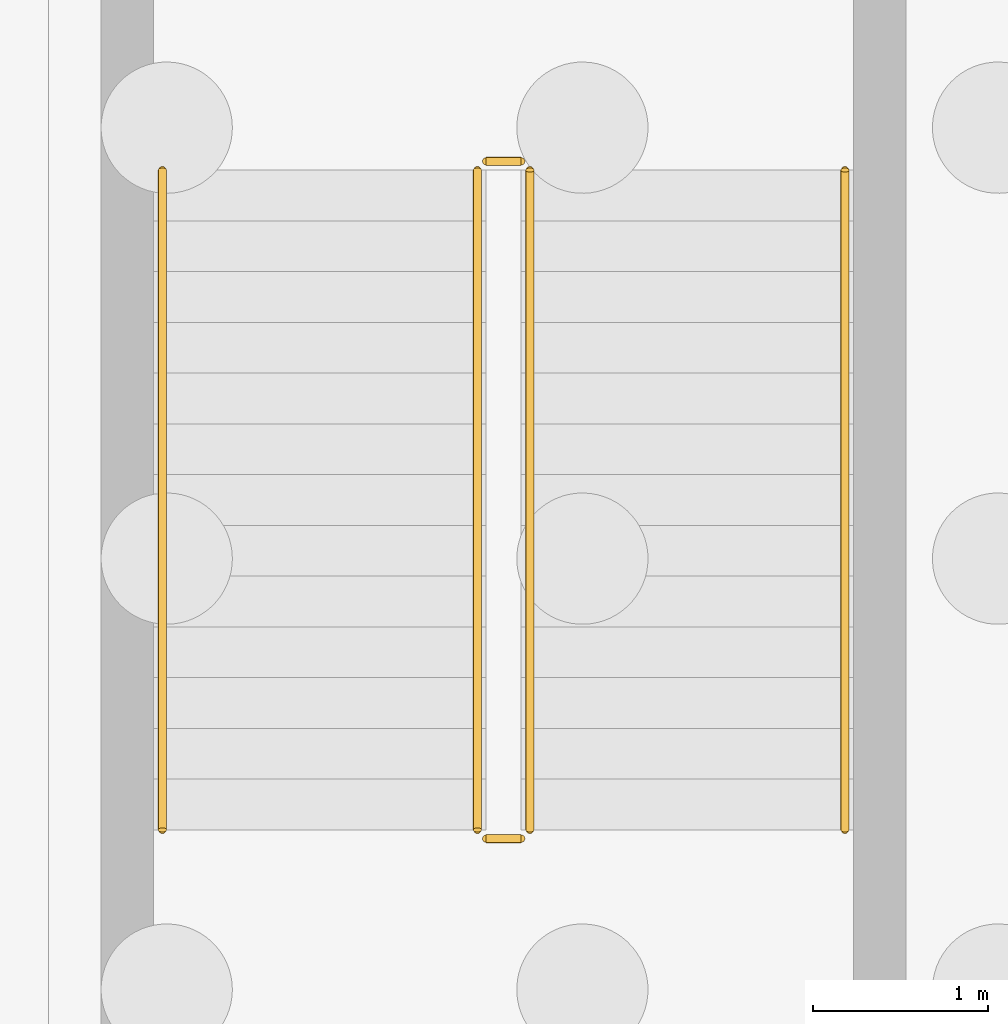
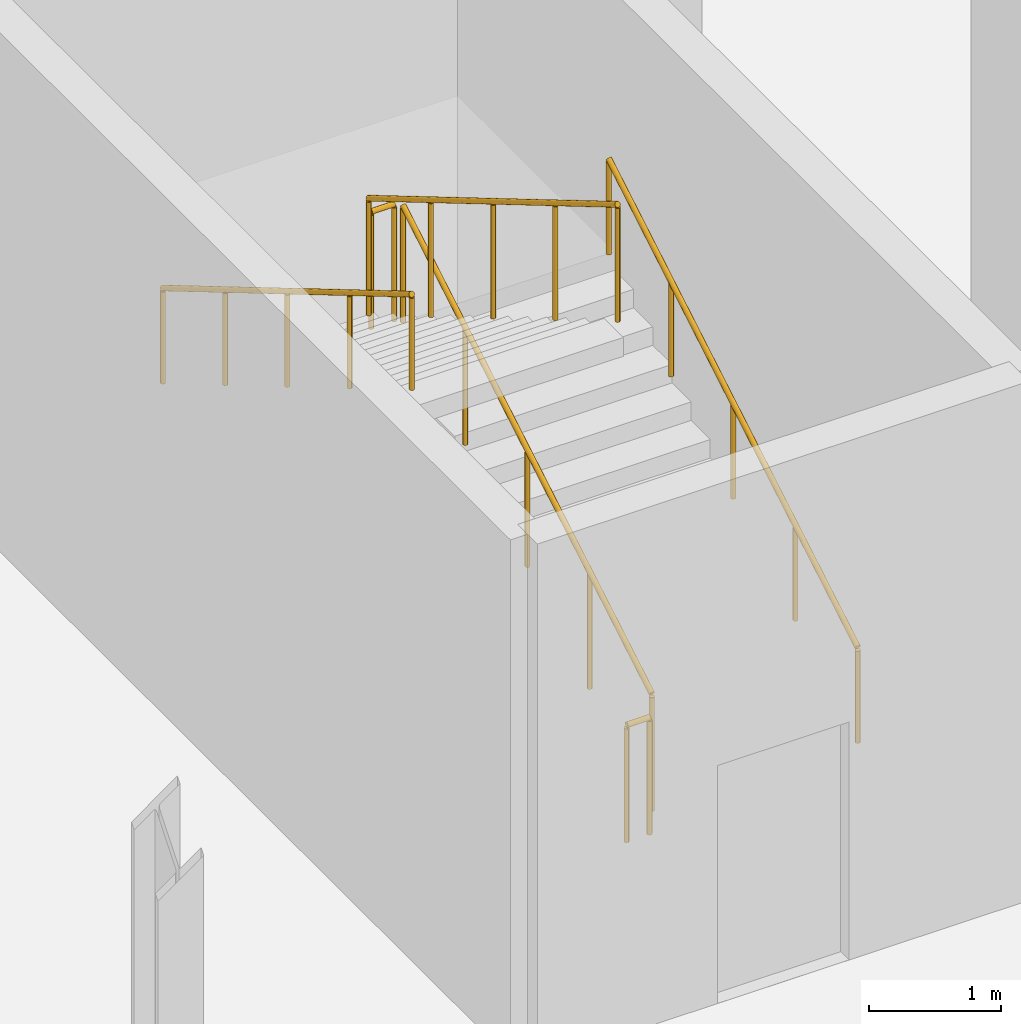
# One storey, part 35 of 37: 6 railings.
"""IFC4 building model written with IfcOpenShell, lengths in metres."""

from ifc_helpers import new_model, si_unit, direction, frame, origin, origin_2d, place, context, subcontext, project, spatial, circle, extrude, material, type_object, element, save


model = new_model("IFC4")

# Units and contexts
model_context = context("Model", 3, precision=1e-05, world=origin(), true_north=direction((0.0, 1.0)))
body_context = subcontext(model_context, "Body", "Model", "MODEL_VIEW")
ifc_project = project(units=[si_unit("LENGTHUNIT", "METRE"), si_unit("AREAUNIT", "SQUARE_METRE"), si_unit("VOLUMEUNIT", "CUBIC_METRE"), si_unit("PLANEANGLEUNIT", "RADIAN"), si_unit("MASSUNIT", "GRAM", prefix="KILO"), si_unit("THERMODYNAMICTEMPERATUREUNIT", "KELVIN"), si_unit("POWERUNIT", "WATT")], contexts=[model_context])

# Site, building, storey
site_placement = place(None, origin())
site = spatial("IfcSite", under=ifc_project, at=site_placement, CompositionType="ELEMENT")
building_placement = place(site_placement, origin())
building = spatial("IfcBuilding", under=site, at=building_placement, Name="Zelmaris Science Centre", CompositionType="ELEMENT")
storey_placement = place(building_placement, frame((0.0, 0.0, -4.800048828125)))
storey = spatial("IfcBuildingStorey", under=building, at=storey_placement, Name="B1", CompositionType="ELEMENT", Elevation=-4.800048828125)

# Railings
ifc_material = material(Name="Architectural bronze alloy C28000")
railing_type_1 = type_object("IfcRailingType", Name="Balustrade GD-01 H1120", PredefinedType="BALUSTRADE", material=ifc_material)
railing_1_placement = place(storey_placement, frame((122.64990234375, 18.449951171875, 0.17138671875)))
element("IfcRailing", 1, at=railing_1_placement, inside=storey, type_object=railing_type_1, Name="B1 ST-4 stair guard 1", PredefinedType="BALUSTRADE", context=body_context, shape_type="SweptSolid", body=[
    extrude(circle(Radius=0.02392578125, at=origin_2d()), frame((0.0, 0.0, 1.076171875), z_axis=(0.0, 0.860824410104, 0.508902087802), x_axis=(-1.0, 0.0, 0.0)), (0.0, 0.0, 1.0), 4.379638671875),
    extrude(circle(Radius=0.02099609375, at=origin_2d()), origin(), (0.0, 0.0, 1.0), 1.052001953125),
    extrude(circle(Radius=0.02099609375, at=origin_2d()), frame((0.0, 0.9423828125, 0.55712890625)), (0.0, 0.0, 1.0), 1.052001953125),
    extrude(circle(Radius=0.02099609375, at=origin_2d()), frame((0.0, 1.885009765625, 1.1142578125)), (0.0, 0.0, 1.0), 1.052001953125),
    extrude(circle(Radius=0.02099609375, at=origin_2d()), frame((0.0, 2.82763671875, 1.671630859375)), (0.0, 0.0, 1.0), 1.052001953125),
    extrude(circle(Radius=0.02099609375, at=origin_2d()), frame((0.0, 3.77001953125, 2.228759765625)), (0.0, 0.0, 1.0), 1.052001953125),
])
railing_2_placement = place(storey_placement, frame((122.60009765625, 22.27001953125, 2.400146484375)))
element("IfcRailing", 2, at=railing_2_placement, inside=storey, type_object=railing_type_1, Name="B1 ST-4 stair guard 2", PredefinedType="BALUSTRADE", context=body_context, shape_type="SweptSolid", body=[
    extrude(circle(Radius=0.02392578125, at=origin_2d()), frame((0.0, 0.0, 1.076171875), z_axis=(-1.0, 0.0, 0.0), x_axis=(0.0, -1.0, 0.0)), (0.0, 0.0, 1.0), 0.2001953125),
    extrude(circle(Radius=0.02099609375, at=origin_2d()), origin(), (0.0, 0.0, 1.0), 1.052001953125),
    extrude(circle(Radius=0.02099609375, at=origin_2d()), frame((-0.2001953125, 0.0, 0.0)), (0.0, 0.0, 1.0), 1.052001953125),
])
railing_3_placement = place(storey_placement, frame((122.35009765625, 22.219970703125, 2.571533203125)))
element("IfcRailing", 3, at=railing_3_placement, inside=storey, type_object=railing_type_1, Name="B1 ST-4 stair guard 3", PredefinedType="BALUSTRADE", context=body_context, shape_type="SweptSolid", body=[
    extrude(circle(Radius=0.02392578125, at=origin_2d()), frame((0.0, 0.0, 1.076171875), z_axis=(0.0, -0.860848830602, 0.508860777473), x_axis=(1.0, 0.0, 0.0)), (0.0, 0.0, 1.0), 4.37939453125),
    extrude(circle(Radius=0.02099609375, at=origin_2d()), origin(), (0.0, 0.0, 1.0), 1.052001953125),
    extrude(circle(Radius=0.02099609375, at=origin_2d()), frame((0.0, -0.9423828125, 0.55712890625)), (0.0, 0.0, 1.0), 1.052001953125),
    extrude(circle(Radius=0.02099609375, at=origin_2d()), frame((0.0, -1.885009765625, 1.1142578125)), (0.0, 0.0, 1.0), 1.052001953125),
    extrude(circle(Radius=0.02099609375, at=origin_2d()), frame((0.0, -2.82763671875, 1.67138671875)), (0.0, 0.0, 1.0), 1.052001953125),
    extrude(circle(Radius=0.02099609375, at=origin_2d()), frame((0.0, -3.77001953125, 2.228515625)), (0.0, 0.0, 1.0), 1.052001953125),
])
railing_4_placement = place(storey_placement, frame((122.60009765625, 18.39990234375, 0.0)))
element("IfcRailing", 4, at=railing_4_placement, inside=storey, type_object=railing_type_1, Name="B1 ST-4 stair guard 4", PredefinedType="BALUSTRADE", context=body_context, shape_type="SweptSolid", body=[
    extrude(circle(Radius=0.02392578125, at=origin_2d()), frame((0.0, 0.0, 1.076171875), z_axis=(-1.0, 0.0, 0.0), x_axis=(0.0, -1.0, 0.0)), (0.0, 0.0, 1.0), 0.2001953125),
    extrude(circle(Radius=0.02099609375, at=origin_2d()), origin(), (0.0, 0.0, 1.0), 1.052001953125),
    extrude(circle(Radius=0.02099609375, at=origin_2d()), frame((-0.2001953125, 0.0, 0.0)), (0.0, 0.0, 1.0), 1.052001953125),
])
railing_type_2 = type_object("IfcRailingType", Name="Handrail HR-01 H900", PredefinedType="HANDRAIL", material=ifc_material)
railing_5_placement = place(storey_placement, frame((124.449951171875, 18.449951171875, 0.17138671875)))
element("IfcRailing", 5, at=railing_5_placement, inside=storey, type_object=railing_type_2, Name="B1 ST-4 stair handrail 1", PredefinedType="HANDRAIL", context=body_context, shape_type="SweptSolid", body=[
    extrude(circle(Radius=0.02392578125, at=origin_2d()), frame((0.0, 0.0, 0.8759765625), z_axis=(0.0, 0.860824410104, 0.508902087802), x_axis=(-1.0, 0.0, 0.0)), (0.0, 0.0, 1.0), 4.379638671875),
    extrude(circle(Radius=0.02099609375, at=origin_2d()), origin(), (0.0, 0.0, 1.0), 0.851806640625),
    extrude(circle(Radius=0.02099609375, at=origin_2d()), frame((0.0, 0.9423828125, 0.55712890625)), (0.0, 0.0, 1.0), 0.851806640625),
    extrude(circle(Radius=0.02099609375, at=origin_2d()), frame((0.0, 1.885009765625, 1.1142578125)), (0.0, 0.0, 1.0), 0.851806640625),
    extrude(circle(Radius=0.02099609375, at=origin_2d()), frame((0.0, 2.82763671875, 1.671630859375)), (0.0, 0.0, 1.0), 0.851806640625),
    extrude(circle(Radius=0.02099609375, at=origin_2d()), frame((0.0, 3.77001953125, 2.228759765625)), (0.0, 0.0, 1.0), 0.851806640625),
])
railing_6_placement = place(storey_placement, frame((120.550048828125, 22.219970703125, 2.571533203125)))
element("IfcRailing", 6, at=railing_6_placement, inside=storey, type_object=railing_type_2, Name="B1 ST-4 stair handrail 2", PredefinedType="HANDRAIL", context=body_context, shape_type="SweptSolid", body=[
    extrude(circle(Radius=0.02392578125, at=origin_2d()), frame((0.0, 0.0, 0.8759765625), z_axis=(0.0, -0.860848830602, 0.508860777473), x_axis=(1.0, 0.0, 0.0)), (0.0, 0.0, 1.0), 4.37939453125),
    extrude(circle(Radius=0.02099609375, at=origin_2d()), origin(), (0.0, 0.0, 1.0), 0.851806640625),
    extrude(circle(Radius=0.02099609375, at=origin_2d()), frame((0.0, -0.9423828125, 0.55712890625)), (0.0, 0.0, 1.0), 0.851806640625),
    extrude(circle(Radius=0.02099609375, at=origin_2d()), frame((0.0, -1.885009765625, 1.1142578125)), (0.0, 0.0, 1.0), 0.851806640625),
    extrude(circle(Radius=0.02099609375, at=origin_2d()), frame((0.0, -2.82763671875, 1.67138671875)), (0.0, 0.0, 1.0), 0.851806640625),
    extrude(circle(Radius=0.02099609375, at=origin_2d()), frame((0.0, -3.77001953125, 2.228515625)), (0.0, 0.0, 1.0), 0.851806640625),
])

save(model, "model.ifc")
